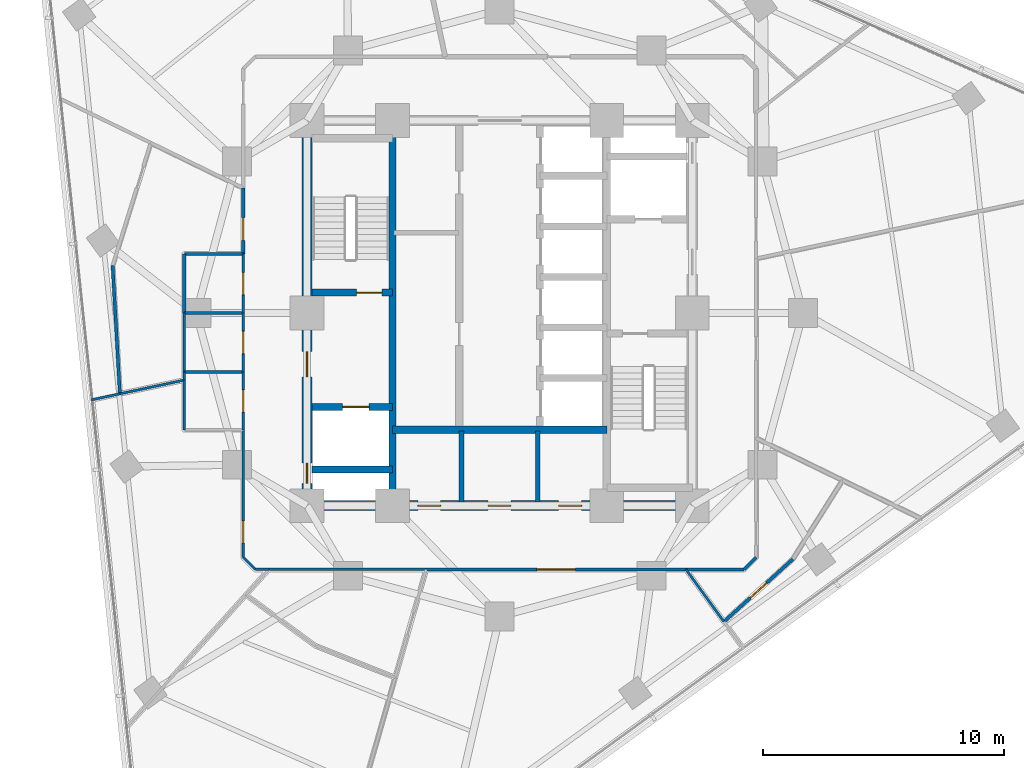
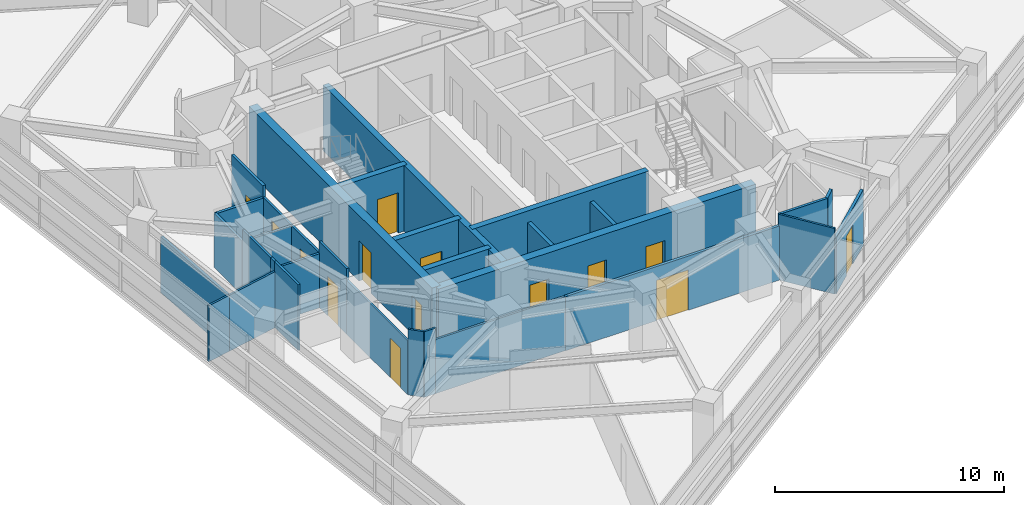
# One storey, part 8 of 14: 32 walls, 14 doors, 14 openings.
"""IFC4 building model written with IfcOpenShell, lengths in metres."""

from ifc_helpers import new_model, si_unit, direction, frame, frame_2d, origin, place, context, subcontext, project, spatial, rectangle, extrude, material, layer, layer_set, type_object, element, fill, save


model = new_model("IFC4")

# Units and contexts
model_context = context("Model", 3, precision=1e-05, world=origin(), true_north=direction((0.0, 1.0)))
body_context = subcontext(model_context, "Body", "Model", "MODEL_VIEW")
ifc_project = project(units=[si_unit("LENGTHUNIT", "METRE"), si_unit("AREAUNIT", "SQUARE_METRE"), si_unit("VOLUMEUNIT", "CUBIC_METRE"), si_unit("PLANEANGLEUNIT", "RADIAN"), si_unit("MASSUNIT", "GRAM", prefix="KILO")], contexts=[model_context])

# Site, building, storey
site_placement = place(None, origin())
site = spatial("IfcSite", under=ifc_project, at=site_placement, CompositionType="ELEMENT")
building_placement = place(site_placement, origin())
building = spatial("IfcBuilding", under=site, at=building_placement, Name="Terralouvre Media Tower", CompositionType="ELEMENT")
storey_placement = place(building_placement, frame((0.0, 0.0, 173.10009765625)))
storey = spatial("IfcBuildingStorey", under=building, at=storey_placement, Name="L44", CompositionType="ELEMENT", Elevation=173.10009765625)

# Wall
ifc_material_1 = material(Name="Concrete C50/60", Category="concrete")
ifc_layer_1 = layer(ifc_material_1, 0.300048828125, Name="Core Internal Shaft Wall CW-300")
ifc_layer_set_1 = layer_set([ifc_layer_1], Name="Concrete C50/60")
wall_type_1 = type_object("IfcWallType", Name="Core Internal Shaft Wall CW-300", PredefinedType="SHEAR", material=ifc_layer_set_1)
wall_1_placement = place(storey_placement, frame((-4.449951171875, -7.7900390625, 0.0), z_axis=(0.0, 0.0, 1.0), x_axis=(0.0, 1.0, 0.0)))
element("IfcWall", 1, at=wall_1_placement, inside=storey, type_object=wall_type_1, Name="L44 Core Shaft Wall SPW", PredefinedType="SHEAR", context=body_context, shape_type="SweptSolid", body=[
    extrude(rectangle(XDim=15.580078125, YDim=0.300048828125, at=frame_2d((7.7900390625, 0.0))), origin(), (0.0, 0.0, 1.0), 3.5),
])

# Wall, opening, door
wall_2_placement = place(storey_placement, frame((-7.7900390625, 0.85009765625, 0.0), z_axis=(0.0, 0.0, 1.0), x_axis=(1.0, 0.0, 0.0)))
wall_2 = element("IfcWall", 2, at=wall_2_placement, inside=storey, type_object=wall_type_1, Name="L44 Core Shaft Wall ST1D", PredefinedType="SHEAR", context=body_context, shape_type="SweptSolid", body=[
    extrude(rectangle(XDim=3.340087890625, YDim=0.300048828125, at=frame_2d((1.669921875, 0.0))), origin(), (0.0, 0.0, 1.0), 3.5),
])
opening_1_placement = place(wall_2_placement, frame((1.85009765625, 0.0, 0.0)))
opening_1 = element("IfcOpeningElement", 3, at=opening_1_placement, cuts=wall_2, Name="Opening FD-01-105X215", PredefinedType="OPENING", context=body_context, shape_type="SweptSolid", body=[
    extrude(rectangle(XDim=1.050048828125, YDim=2.14990234375, at=frame_2d((0.52490234375, 1.074951171875))), frame((0.0, 0.159912109375, 0.0), z_axis=(0.0, -1.0, 0.0), x_axis=(1.0, 0.0, 0.0)), (0.0, 0.0, 1.0), 0.320068359375),
])
ifc_material_2 = material(Name="Galvanised steel fire-resisting leaf", Category="steel")
door_type_1 = type_object("IfcDoorType", Name="Stair and Firefighting Lobby Fire Door FD-01 (1050x2150)", OperationType="NOTDEFINED", PredefinedType="DOOR", material=ifc_material_2)
door_1_placement = place(opening_1_placement, origin())
door_1 = element("IfcDoor", 4, at=door_1_placement, inside=storey, type_object=door_type_1, Name="L44 ST-01 Exit Stair Door", OperationType="SINGLE_SWING_LEFT", OverallHeight=2.14990234375, OverallWidth=1.050048828125, PredefinedType="DOOR", context=body_context, shape_type="SweptSolid", body=[
    extrude(rectangle(XDim=1.050048828125, YDim=2.14990234375, at=frame_2d((0.52490234375, 1.074951171875))), frame((0.0, 0.02490234375, 0.0), z_axis=(0.0, -1.0, 0.0), x_axis=(1.0, 0.0, 0.0)), (0.0, 0.0, 1.0), 0.050048828125),
])
fill(opening_1, door_1)

wall_3_placement = place(storey_placement, frame((-7.7900390625, -3.89990234375, 0.0), z_axis=(0.0, 0.0, 1.0), x_axis=(1.0, 0.0, 0.0)))
wall_3 = element("IfcWall", 5, at=wall_3_placement, inside=storey, type_object=wall_type_1, Name="L44 Core Shaft Wall FF1N", PredefinedType="SHEAR", context=body_context, shape_type="SweptSolid", body=[
    extrude(rectangle(XDim=3.340087890625, YDim=0.300048828125, at=frame_2d((1.669921875, 0.0))), origin(), (0.0, 0.0, 1.0), 3.5),
])
opening_2_placement = place(wall_3_placement, frame((1.27001953125, 0.0, 0.0)))
opening_2 = element("IfcOpeningElement", 6, at=opening_2_placement, cuts=wall_3, Name="Opening LD-FF", PredefinedType="OPENING", context=body_context, shape_type="SweptSolid", body=[
    extrude(rectangle(XDim=1.10009765625, YDim=2.10009765625, at=frame_2d((0.550048828125, 1.050048828125))), frame((0.0, 0.159912109375, 0.0), z_axis=(0.0, -1.0, 0.0), x_axis=(1.0, 0.0, 0.0)), (0.0, 0.0, 1.0), 0.320068359375),
])
ifc_material_3 = material(Name="Stainless steel 316 handrail and balustrade", Category="steel")
door_type_2 = type_object("IfcDoorType", Name="Firefighting Lift Sliding Landing Door LD-FF", OperationType="SLIDING_TO_LEFT", PredefinedType="DOOR", material=ifc_material_3)
door_2_placement = place(opening_2_placement, origin())
door_2 = element("IfcDoor", 7, at=door_2_placement, inside=storey, type_object=door_type_2, Name="L44 Firefighting Lift FFL-01 Landing Door", OperationType="SLIDING_TO_LEFT", OverallHeight=2.10009765625, OverallWidth=1.10009765625, PredefinedType="DOOR", context=body_context, shape_type="SweptSolid", body=[
    extrude(rectangle(XDim=1.10009765625, YDim=2.10009765625, at=frame_2d((0.550048828125, 1.050048828125))), frame((0.0, 0.02490234375, 0.0), z_axis=(0.0, -1.0, 0.0), x_axis=(1.0, 0.0, 0.0)), (0.0, 0.0, 1.0), 0.050048828125),
])
fill(opening_2, door_2)

# Walls
wall_4_placement = place(storey_placement, frame((-7.7900390625, -6.5, 0.0), z_axis=(0.0, 0.0, 1.0), x_axis=(1.0, 0.0, 0.0)))
element("IfcWall", 8, at=wall_4_placement, inside=storey, type_object=wall_type_1, Name="L44 Core Shaft Wall FF1S", PredefinedType="SHEAR", context=body_context, shape_type="SweptSolid", body=[
    extrude(rectangle(XDim=3.340087890625, YDim=0.300048828125, at=frame_2d((1.669921875, 0.0))), origin(), (0.0, 0.0, 1.0), 3.5),
])
wall_5_placement = place(storey_placement, frame((-4.449951171875, -4.85009765625, 0.0), z_axis=(0.0, 0.0, 1.0), x_axis=(1.0, 0.0, 0.0)))
element("IfcWall", 9, at=wall_5_placement, inside=storey, type_object=wall_type_1, Name="L44 Core Shaft Wall CSBN", PredefinedType="SHEAR", context=body_context, shape_type="SweptSolid", body=[
    extrude(rectangle(XDim=8.89990234375, YDim=0.300048828125, at=frame_2d((4.449951171875, 0.0))), origin(), (0.0, 0.0, 1.0), 3.5),
])

# Wall, openings, doors
ifc_material_4 = material(Name="Concrete C60/75", Category="concrete")
ifc_layer_2 = layer(ifc_material_4, 0.419921875, Name="Core Reinforced Concrete Shear Wall CW-420")
ifc_layer_set_2 = layer_set([ifc_layer_2], Name="Concrete C60/75")
wall_type_2 = type_object("IfcWallType", Name="Core Reinforced Concrete Shear Wall CW-420", PredefinedType="SHEAR", material=ifc_layer_set_2)
wall_6_placement = place(storey_placement, frame((-8.0, -8.0, 0.0), z_axis=(0.0, 0.0, 1.0), x_axis=(0.0, 1.0, 0.0)))
wall_6 = element("IfcWall", 10, at=wall_6_placement, inside=storey, type_object=wall_type_2, Name="L44 W Core Shear Wall", PredefinedType="SHEAR", context=body_context, shape_type="SweptSolid", body=[
    extrude(rectangle(XDim=16.0, YDim=0.419921875, at=frame_2d((8.0, 0.0))), origin(), (0.0, 0.0, 1.0), 3.5),
])
opening_3_placement = place(wall_6_placement, frame((0.921630859375, 0.0, 0.0)))
opening_3 = element("IfcOpeningElement", 11, at=opening_3_placement, cuts=wall_6, Name="Opening TD-R1", PredefinedType="OPENING", context=body_context, shape_type="SweptSolid", body=[
    extrude(rectangle(XDim=0.85009765625, YDim=2.02001953125, at=frame_2d((0.425048828125, 1.010009765625))), frame((0.0, 0.219970703125, 0.0), z_axis=(0.0, -1.0, 0.0), x_axis=(1.0, 0.0, 0.0)), (0.0, 0.0, 1.0), 0.43994140625),
])
opening_4_placement = place(wall_6_placement, frame((5.35009765625, 0.0, 0.0)))
opening_4 = element("IfcOpeningElement", 12, at=opening_4_placement, cuts=wall_6, Name="Opening FD-01-105X215", PredefinedType="OPENING", context=body_context, shape_type="SweptSolid", body=[
    extrude(rectangle(XDim=1.050048828125, YDim=2.14990234375, at=frame_2d((0.52490234375, 1.074951171875))), frame((0.0, 0.219970703125, 0.0), z_axis=(0.0, -1.0, 0.0), x_axis=(1.0, 0.0, 0.0)), (0.0, 0.0, 1.0), 0.43994140625),
])
ifc_material_5 = material(Name="Galvanised steel fire-resisting leaf", Category="steel")
door_type_3 = type_object("IfcDoorType", Name="Riser Inspection Access Trapdoor TD-R1", OperationType="NOTDEFINED", PredefinedType="TRAPDOOR", material=ifc_material_5)
door_3_placement = place(opening_3_placement, origin())
door_3 = element("IfcDoor", 13, at=door_3_placement, inside=storey, type_object=door_type_3, Name="L44 Wet Riser Access Trapdoor", OperationType="SINGLE_SWING_LEFT", OverallHeight=2.02001953125, OverallWidth=0.85009765625, PredefinedType="TRAPDOOR", context=body_context, shape_type="SweptSolid", body=[
    extrude(rectangle(XDim=0.85009765625, YDim=2.02001953125, at=frame_2d((0.425048828125, 1.010009765625))), frame((0.0, 0.02490234375, 0.0), z_axis=(0.0, -1.0, 0.0), x_axis=(1.0, 0.0, 0.0)), (0.0, 0.0, 1.0), 0.050048828125),
])
fill(opening_3, door_3)
door_4_placement = place(opening_4_placement, origin())
door_4 = element("IfcDoor", 14, at=door_4_placement, inside=storey, type_object=door_type_1, Name="L44 West Firefighting Lobby Entry Door", OperationType="SINGLE_SWING_RIGHT", OverallHeight=2.14990234375, OverallWidth=1.050048828125, PredefinedType="DOOR", context=body_context, shape_type="SweptSolid", body=[
    extrude(rectangle(XDim=1.050048828125, YDim=2.14990234375, at=frame_2d((0.52490234375, 1.074951171875))), frame((0.0, 0.02490234375, 0.0), z_axis=(0.0, -1.0, 0.0), x_axis=(1.0, 0.0, 0.0)), (0.0, 0.0, 1.0), 0.050048828125),
])
fill(opening_4, door_4)

wall_7_placement = place(storey_placement, frame((-8.0, -8.0, 0.0), z_axis=(0.0, 0.0, 1.0), x_axis=(1.0, 0.0, 0.0)))
wall_7 = element("IfcWall", 15, at=wall_7_placement, inside=storey, type_object=wall_type_2, Name="L44 S Core Shear Wall", PredefinedType="SHEAR", context=body_context, shape_type="SweptSolid", body=[
    extrude(rectangle(XDim=16.0, YDim=0.419921875, at=frame_2d((8.0, 0.0))), origin(), (0.0, 0.0, 1.0), 3.5),
])
opening_5_placement = place(wall_7_placement, frame((4.60009765625, 0.0, 0.0)))
opening_5 = element("IfcOpeningElement", 16, at=opening_5_placement, cuts=wall_7, Name="Opening FD-02-95X210", PredefinedType="OPENING", context=body_context, shape_type="SweptSolid", body=[
    extrude(rectangle(XDim=0.949951171875, YDim=2.10009765625, at=frame_2d((0.47509765625, 1.050048828125))), frame((0.0, 0.219970703125, 0.0), z_axis=(0.0, -1.0, 0.0), x_axis=(1.0, 0.0, 0.0)), (0.0, 0.0, 1.0), 0.43994140625),
])
opening_6_placement = place(wall_7_placement, frame((7.52001953125, 0.0, 0.0)))
opening_6 = element("IfcOpeningElement", 17, at=opening_6_placement, cuts=wall_7, Name="Opening FD-02-95X210", PredefinedType="OPENING", context=body_context, shape_type="SweptSolid", body=[
    extrude(rectangle(XDim=0.949951171875, YDim=2.10009765625, at=frame_2d((0.47509765625, 1.050048828125))), frame((0.0, 0.219970703125, 0.0), z_axis=(0.0, -1.0, 0.0), x_axis=(1.0, 0.0, 0.0)), (0.0, 0.0, 1.0), 0.43994140625),
])
opening_7_placement = place(wall_7_placement, frame((10.449951171875, 0.0, 0.0)))
opening_7 = element("IfcOpeningElement", 18, at=opening_7_placement, cuts=wall_7, Name="Opening FD-02-95X210", PredefinedType="OPENING", context=body_context, shape_type="SweptSolid", body=[
    extrude(rectangle(XDim=0.949951171875, YDim=2.10009765625, at=frame_2d((0.47509765625, 1.050048828125))), frame((0.0, 0.219970703125, 0.0), z_axis=(0.0, -1.0, 0.0), x_axis=(1.0, 0.0, 0.0)), (0.0, 0.0, 1.0), 0.43994140625),
])
ifc_material_6 = material(Name="Galvanised steel fire-resisting leaf", Category="steel")
door_type_4 = type_object("IfcDoorType", Name="Plant and Riser Fire Door FD-02 (950x2100)", OperationType="NOTDEFINED", PredefinedType="DOOR", material=ifc_material_6)
door_5_placement = place(opening_5_placement, origin())
door_5 = element("IfcDoor", 19, at=door_5_placement, inside=storey, type_object=door_type_4, Name="L44 Core Janitor Store Door", OperationType="SINGLE_SWING_LEFT", OverallHeight=2.10009765625, OverallWidth=0.949951171875, PredefinedType="DOOR", context=body_context, shape_type="SweptSolid", body=[
    extrude(rectangle(XDim=0.949951171875, YDim=2.10009765625, at=frame_2d((0.47509765625, 1.050048828125))), frame((0.0, 0.02490234375, 0.0), z_axis=(0.0, -1.0, 0.0), x_axis=(1.0, 0.0, 0.0)), (0.0, 0.0, 1.0), 0.050048828125),
])
fill(opening_5, door_5)
door_6_placement = place(opening_6_placement, origin())
door_6 = element("IfcDoor", 20, at=door_6_placement, inside=storey, type_object=door_type_4, Name="L44 Core Linen Store Door", OperationType="SINGLE_SWING_RIGHT", OverallHeight=2.10009765625, OverallWidth=0.949951171875, PredefinedType="DOOR", context=body_context, shape_type="SweptSolid", body=[
    extrude(rectangle(XDim=0.949951171875, YDim=2.10009765625, at=frame_2d((0.47509765625, 1.050048828125))), frame((0.0, 0.02490234375, 0.0), z_axis=(0.0, -1.0, 0.0), x_axis=(1.0, 0.0, 0.0)), (0.0, 0.0, 1.0), 0.050048828125),
])
fill(opening_6, door_6)
door_7_placement = place(opening_7_placement, origin())
door_7 = element("IfcDoor", 21, at=door_7_placement, inside=storey, type_object=door_type_4, Name="L44 Core Metering Plant Door", OperationType="SINGLE_SWING_LEFT", OverallHeight=2.10009765625, OverallWidth=0.949951171875, PredefinedType="DOOR", context=body_context, shape_type="SweptSolid", body=[
    extrude(rectangle(XDim=0.949951171875, YDim=2.10009765625, at=frame_2d((0.47509765625, 1.050048828125))), frame((0.0, 0.02490234375, 0.0), z_axis=(0.0, -1.0, 0.0), x_axis=(1.0, 0.0, 0.0)), (0.0, 0.0, 1.0), 0.050048828125),
])
fill(opening_7, door_7)

# Wall, opening, door
ifc_material_7 = material(Name="Low-iron laminated double glazing with solar-control coating", Category="glass")
ifc_layer_3 = layer(ifc_material_7, 0.10009765625, Name="Demountable Glazed Office Partition PT-GL100")
ifc_layer_set_3 = layer_set([ifc_layer_3], Name="Low-iron laminated double glazing with solar-control coating")
wall_type_3 = type_object("IfcWallType", Name="Demountable Glazed Office Partition PT-GL100", PredefinedType="MOVABLE", material=ifc_layer_set_3)
wall_8_placement = place(storey_placement, frame((-10.64990234375, -4.85009765625, 0.0), z_axis=(0.0, 0.0, 1.0), x_axis=(0.0, -1.0, 0.0)))
wall_8 = element("IfcWall", 22, at=wall_8_placement, inside=storey, type_object=wall_type_3, Name="L44 Interior Partition 003", PredefinedType="MOVABLE", context=body_context, shape_type="SweptSolid", body=[
    extrude(rectangle(XDim=5.2998046875, YDim=0.10009765625, at=frame_2d((2.64990234375, 0.0))), origin(), (0.0, 0.0, 1.0), 2.885009765625),
])
opening_8_placement = place(wall_8_placement, frame((3.780029296875, 0.0, 0.0)))
opening_8 = element("IfcOpeningElement", 23, at=opening_8_placement, cuts=wall_8, Name="Opening ID-03-92X210", PredefinedType="OPENING", context=body_context, shape_type="SweptSolid", body=[
    extrude(rectangle(XDim=0.919921875, YDim=2.10009765625, at=frame_2d((0.4599609375, 1.050048828125))), frame((0.0, 0.06005859375, 0.0), z_axis=(0.0, -1.0, 0.0), x_axis=(1.0, 0.0, 0.0)), (0.0, 0.0, 1.0), 0.1201171875),
])
ifc_material_8 = material(Name="Engineered hardwood acoustic timber leaf", Category="wood")
door_type_5 = type_object("IfcDoorType", Name="Accessible Restroom and Suite Door ID-03 (920x2100)", OperationType="NOTDEFINED", PredefinedType="DOOR", material=ifc_material_8)
door_8_placement = place(opening_8_placement, origin())
door_8 = element("IfcDoor", 24, at=door_8_placement, inside=storey, type_object=door_type_5, Name="L44 Journalism Training Classroom 1 Door", OperationType="SINGLE_SWING_RIGHT", OverallHeight=2.10009765625, OverallWidth=0.919921875, PredefinedType="DOOR", context=body_context, shape_type="SweptSolid", body=[
    extrude(rectangle(XDim=0.919921875, YDim=2.10009765625, at=frame_2d((0.4599609375, 1.050048828125))), frame((0.0, 0.02490234375, 0.0), z_axis=(0.0, -1.0, 0.0), x_axis=(1.0, 0.0, 0.0)), (0.0, 0.0, 1.0), 0.050048828125),
])
fill(opening_8, door_8)

# Walls
wall_9_placement = place(storey_placement, frame((-10.64990234375, -10.14990234375, 0.0), z_axis=(0.0, 0.0, 1.0), x_axis=(0.707106781187, -0.707106781187, 0.0)))
element("IfcWall", 25, at=wall_9_placement, inside=storey, type_object=wall_type_3, Name="L44 Interior Partition 004", PredefinedType="MOVABLE", context=body_context, shape_type="SweptSolid", body=[
    extrude(rectangle(XDim=0.70703125, YDim=0.10009765625, at=frame_2d((0.353515625, 0.0))), origin(), (0.0, 0.0, 1.0), 3.5),
])
wall_10_placement = place(storey_placement, frame((-10.14990234375, -10.64990234375, 0.0), z_axis=(0.0, 0.0, 1.0), x_axis=(1.0, 0.0, 0.0)))
element("IfcWall", 26, at=wall_10_placement, inside=storey, type_object=wall_type_3, Name="L44 Interior Partition 005", PredefinedType="MOVABLE", context=body_context, shape_type="SweptSolid", body=[
    extrude(rectangle(XDim=0.560791015625, YDim=0.10009765625, at=frame_2d((0.2802734375, 0.0))), origin(), (0.0, 0.0, 1.0), 3.5),
])
wall_11_placement = place(storey_placement, frame((-9.589111328125, -10.64990234375, 0.0), z_axis=(0.0, 0.0, 1.0), x_axis=(1.0, 0.0, 0.0)))
element("IfcWall", 27, at=wall_11_placement, inside=storey, type_object=wall_type_3, Name="L44 Interior Partition 006", PredefinedType="MOVABLE", context=body_context, shape_type="SweptSolid", body=[
    extrude(rectangle(XDim=6.53515625, YDim=0.10009765625, at=frame_2d((3.267578125, 0.0))), origin(), (0.0, 0.0, 1.0), 2.885009765625),
])
wall_12_placement = place(storey_placement, frame((-15.777099609375, -3.35302734375, 0.0), z_axis=(0.0, 0.0, 1.0), x_axis=(-0.978029023755, -0.208468771503, 0.0)))
element("IfcWall", 28, at=wall_12_placement, inside=storey, type_object=wall_type_3, Name="L44 Interior Partition 029", PredefinedType="MOVABLE", context=body_context, shape_type="SweptSolid", body=[
    extrude(rectangle(XDim=1.2109375, YDim=0.10009765625, at=frame_2d((0.60546875, 0.0))), origin(), (0.0, 0.0, 1.0), 2.98486328125),
])
wall_13_placement = place(storey_placement, frame((-13.10009765625, -2.783935546875, 0.0), z_axis=(0.0, 0.0, 1.0), x_axis=(-0.978141843994, -0.207938772307, 0.0)))
element("IfcWall", 29, at=wall_13_placement, inside=storey, type_object=wall_type_3, Name="L44 Interior Partition 030", PredefinedType="MOVABLE", context=body_context, shape_type="SweptSolid", body=[
    extrude(rectangle(XDim=2.73681640625, YDim=0.10009765625, at=frame_2d((1.368408203125, 0.0))), origin(), (0.0, 0.0, 1.0), 2.98486328125),
])
wall_14_placement = place(storey_placement, frame((9.31591796875, -12.822021484375, 0.0), z_axis=(0.0, 0.0, 1.0), x_axis=(-0.587722823028, 0.80906234821, 0.0)))
element("IfcWall", 30, at=wall_14_placement, inside=storey, type_object=wall_type_3, Name="L44 Interior Partition 035", PredefinedType="MOVABLE", context=body_context, shape_type="SweptSolid", body=[
    extrude(rectangle(XDim=2.684814453125, YDim=0.10009765625, at=frame_2d((1.34228515625, 0.0))), origin(), (0.0, 0.0, 1.0), 3.5),
])
ifc_material_9 = material(Name="Fire-rated gypsum board drywall partition")
ifc_layer_4 = layer(ifc_material_9, 0.199951171875, Name="Fire-Rated Shaft and Lobby Partition FW-200")
ifc_layer_set_4 = layer_set([ifc_layer_4], Name="Fire-rated gypsum board drywall partition")
wall_type_4 = type_object("IfcWallType", Name="Fire-Rated Shaft and Lobby Partition FW-200", PredefinedType="SOLIDWALL", material=ifc_layer_set_4)
for number, where, z_axis, x_axis, name in (
    (31, (-1.580078125, -7.85009765625, 0.0), (0.0, 0.0, 1.0), (0.0, 1.0, 0.0), "L44 Core Service Bay Partition 1"),
    (32, (1.580078125, -7.85009765625, 0.0), (0.0, 0.0, 1.0), (0.0, 1.0, 0.0), "L44 Core Service Bay Partition 2"),
):
    element("IfcWall", number, at=place(storey_placement, frame(where, z_axis=z_axis, x_axis=x_axis)), inside=storey, type_object=wall_type_4, Name=name, PredefinedType="SOLIDWALL", context=body_context, shape_type="SweptSolid", body=[
        extrude(rectangle(XDim=2.9501953125, YDim=0.199951171875, at=frame_2d((1.47509765625, 0.0))), origin(), (0.0, 0.0, 1.0), 2.885009765625),
    ])

# Wall, opening, door
ifc_material_10 = material(Name="Fire-rated gypsum board drywall partition")
ifc_layer_5 = layer(ifc_material_10, 0.135009765625, Name="Newsroom Acoustic Partition PT-135")
ifc_layer_set_5 = layer_set([ifc_layer_5], Name="Fire-rated gypsum board drywall partition")
wall_type_5 = type_object("IfcWallType", Name="Newsroom Acoustic Partition PT-135", PredefinedType="PARTITIONING", material=ifc_layer_set_5)
wall_15_placement = place(storey_placement, frame((-3.053955078125, -10.64990234375, 0.0), z_axis=(0.0, 0.0, 1.0), x_axis=(1.0, 0.0, 0.0)))
wall_15 = element("IfcWall", 33, at=wall_15_placement, inside=storey, type_object=wall_type_5, Name="L44 Interior Partition 007", PredefinedType="PARTITIONING", context=body_context, shape_type="SweptSolid", body=[
    extrude(rectangle(XDim=10.7919921875, YDim=0.135009765625, at=frame_2d((5.39599609375, 0.0))), origin(), (0.0, 0.0, 1.0), 2.885009765625),
])
opening_9_placement = place(wall_15_placement, frame((4.595947265625, 0.0, 0.0)))
opening_9 = element("IfcOpeningElement", 34, at=opening_9_placement, cuts=wall_15, Name="Opening ID-04-160X215", PredefinedType="OPENING", context=body_context, shape_type="SweptSolid", body=[
    extrude(rectangle(XDim=1.60009765625, YDim=2.14990234375, at=frame_2d((0.800048828125, 1.074951171875))), frame((0.0, 0.077392578125, 0.0), z_axis=(0.0, -1.0, 0.0), x_axis=(1.0, 0.0, 0.0)), (0.0, 0.0, 1.0), 0.155029296875),
])
ifc_material_11 = material(Name="Engineered hardwood acoustic timber leaf", Category="wood")
door_type_6 = type_object("IfcDoorType", Name="Conference Double Acoustic Door ID-04 (1600x2150)", OperationType="DOUBLE_DOOR_SINGLE_SWING", PredefinedType="DOOR", material=ifc_material_11)
door_9_placement = place(opening_9_placement, origin())
door_9 = element("IfcDoor", 35, at=door_9_placement, inside=storey, type_object=door_type_6, Name="L44 Digital Editing Lecture Room 4 Door", OperationType="DOUBLE_DOOR_SINGLE_SWING", OverallHeight=2.14990234375, OverallWidth=1.60009765625, PredefinedType="DOOR", context=body_context, shape_type="SweptSolid", body=[
    extrude(rectangle(XDim=1.60009765625, YDim=2.14990234375, at=frame_2d((0.800048828125, 1.074951171875))), frame((0.0, 0.02490234375, 0.0), z_axis=(0.0, -1.0, 0.0), x_axis=(1.0, 0.0, 0.0)), (0.0, 0.0, 1.0), 0.050048828125),
])
fill(opening_9, door_9)

# Walls
wall_16_placement = place(storey_placement, frame((7.738037109375, -10.64990234375, 0.0), z_axis=(0.0, 0.0, 1.0), x_axis=(1.0, 0.0, 0.0)))
element("IfcWall", 36, at=wall_16_placement, inside=storey, type_object=wall_type_5, Name="L44 Interior Partition 008", PredefinedType="PARTITIONING", context=body_context, shape_type="SweptSolid", body=[
    extrude(rectangle(XDim=2.411865234375, YDim=0.135009765625, at=frame_2d((1.2060546875, 0.0))), origin(), (0.0, 0.0, 1.0), 3.5),
])
wall_17_placement = place(storey_placement, frame((10.14990234375, -10.64990234375, 0.0), z_axis=(0.0, 0.0, 1.0), x_axis=(0.707106781187, 0.707106781187, 0.0)))
element("IfcWall", 37, at=wall_17_placement, inside=storey, type_object=wall_type_5, Name="L44 Interior Partition 009", PredefinedType="PARTITIONING", context=body_context, shape_type="SweptSolid", body=[
    extrude(rectangle(XDim=0.70703125, YDim=0.135009765625, at=frame_2d((0.353515625, 0.0))), origin(), (0.0, 0.0, 1.0), 3.5),
])

# Wall, opening, door
wall_18_placement = place(storey_placement, frame((-10.64990234375, 5.194091796875, 0.0), z_axis=(0.0, 0.0, 1.0), x_axis=(0.0, -1.0, 0.0)))
wall_18 = element("IfcWall", 38, at=wall_18_placement, inside=storey, type_object=wall_type_5, Name="L44 Interior Partition 019", PredefinedType="PARTITIONING", context=body_context, shape_type="SweptSolid", body=[
    extrude(rectangle(XDim=2.744140625, YDim=0.135009765625, at=frame_2d((1.3720703125, 0.0))), origin(), (0.0, 0.0, 1.0), 3.5),
])
opening_10_placement = place(wall_18_placement, frame((1.226318359375, 0.0, 0.0)))
opening_10 = element("IfcOpeningElement", 39, at=opening_10_placement, cuts=wall_18, Name="Opening ID-02-95X210", PredefinedType="OPENING", context=body_context, shape_type="SweptSolid", body=[
    extrude(rectangle(XDim=0.949951171875, YDim=2.10009765625, at=frame_2d((0.47509765625, 1.050048828125))), frame((0.0, 0.077392578125, 0.0), z_axis=(0.0, -1.0, 0.0), x_axis=(1.0, 0.0, 0.0)), (0.0, 0.0, 1.0), 0.155029296875),
])
ifc_material_12 = material(Name="Engineered hardwood acoustic timber leaf", Category="wood")
door_type_7 = type_object("IfcDoorType", Name="Office and Meeting Room Door ID-02 (950x2100)", OperationType="NOTDEFINED", PredefinedType="DOOR", material=ifc_material_12)
door_10_placement = place(opening_10_placement, origin())
door_10 = element("IfcDoor", 40, at=door_10_placement, inside=storey, type_object=door_type_7, Name="L44 Admissions Reception 13 Door", OperationType="SINGLE_SWING_LEFT", OverallHeight=2.10009765625, OverallWidth=0.949951171875, PredefinedType="DOOR", context=body_context, shape_type="SweptSolid", body=[
    extrude(rectangle(XDim=0.949951171875, YDim=2.10009765625, at=frame_2d((0.47509765625, 1.050048828125))), frame((0.0, 0.02490234375, 0.0), z_axis=(0.0, -1.0, 0.0), x_axis=(1.0, 0.0, 0.0)), (0.0, 0.0, 1.0), 0.050048828125),
])
fill(opening_10, door_10)

wall_19_placement = place(storey_placement, frame((9.31591796875, -12.822021484375, 0.0), z_axis=(0.0, 0.0, 1.0), x_axis=(0.740145591151, 0.672446655058, 0.0)))
wall_19 = element("IfcWall", 41, at=wall_19_placement, inside=storey, type_object=wall_type_5, Name="L44 Interior Partition 037", PredefinedType="PARTITIONING", context=body_context, shape_type="SweptSolid", body=[
    extrude(rectangle(XDim=3.86962890625, YDim=0.135009765625, at=frame_2d((1.934814453125, 0.0))), origin(), (0.0, 0.0, 1.0), 2.98486328125),
])
opening_11_placement = place(wall_19_placement, frame((1.474609375, 0.0, 0.0)))
opening_11 = element("IfcOpeningElement", 42, at=opening_11_placement, cuts=wall_19, Name="Opening ID-03-92X210", PredefinedType="OPENING", context=body_context, shape_type="SweptSolid", body=[
    extrude(rectangle(XDim=0.919921875, YDim=2.10009765625, at=frame_2d((0.4599609375, 1.050048828125))), frame((0.0, 0.077392578125, 0.0), z_axis=(0.0, -1.0, 0.0), x_axis=(1.0, 0.0, 0.0)), (0.0, 0.0, 1.0), 0.155029296875),
])
door_11_placement = place(opening_11_placement, origin())
door_11 = element("IfcDoor", 43, at=door_11_placement, inside=storey, type_object=door_type_5, Name="L44 Periodicals Reading Club 6 Door", OperationType="SINGLE_SWING_LEFT", OverallHeight=2.10009765625, OverallWidth=0.919921875, PredefinedType="DOOR", context=body_context, shape_type="SweptSolid", body=[
    extrude(rectangle(XDim=0.919921875, YDim=2.10009765625, at=frame_2d((0.4599609375, 1.050048828125))), frame((0.0, 0.02490234375, 0.0), z_axis=(0.0, -1.0, 0.0), x_axis=(1.0, 0.0, 0.0)), (0.0, 0.0, 1.0), 0.050048828125),
])
fill(opening_11, door_11)

# Walls
wall_20_placement = place(storey_placement, frame((-15.777099609375, -3.35302734375, 0.0), z_axis=(0.0, 0.0, 1.0), x_axis=(-0.056600228811, 0.99839692212, 0.0)))
element("IfcWall", 44, at=wall_20_placement, inside=storey, type_object=wall_type_5, Name="L44 Interior Partition 051", PredefinedType="PARTITIONING", context=body_context, shape_type="SweptSolid", body=[
    extrude(rectangle(XDim=5.335693359375, YDim=0.135009765625, at=frame_2d((2.66796875, 0.0))), origin(), (0.0, 0.0, 1.0), 2.98486328125),
])
wall_21_placement = place(storey_placement, frame((-13.10009765625, 0.0, 0.0), z_axis=(0.0, 0.0, 1.0), x_axis=(0.0, 1.0, 0.0)))
element("IfcWall", 45, at=wall_21_placement, inside=storey, type_object=wall_type_5, Name="L44 Interior Partition 053", PredefinedType="PARTITIONING", context=body_context, shape_type="SweptSolid", body=[
    extrude(rectangle(XDim=2.449951171875, YDim=0.135009765625, at=frame_2d((1.22509765625, 0.0))), origin(), (0.0, 0.0, 1.0), 2.885009765625),
])
wall_22_placement = place(storey_placement, frame((-13.10009765625, 2.449951171875, 0.0), z_axis=(0.0, 0.0, 1.0), x_axis=(1.0, 0.0, 0.0)))
element("IfcWall", 46, at=wall_22_placement, inside=storey, type_object=wall_type_5, Name="L44 Interior Partition 054", PredefinedType="PARTITIONING", context=body_context, shape_type="SweptSolid", body=[
    extrude(rectangle(XDim=2.4501953125, YDim=0.135009765625, at=frame_2d((1.22509765625, 0.0))), origin(), (0.0, 0.0, 1.0), 2.885009765625),
])

# Wall, opening, door
ifc_material_13 = material(Name="Fire-rated gypsum board drywall partition")
ifc_layer_6 = layer(ifc_material_13, 0.114990234375, Name="Restroom and Pantry Partition PT-115")
ifc_layer_set_6 = layer_set([ifc_layer_6], Name="Fire-rated gypsum board drywall partition")
wall_type_6 = type_object("IfcWallType", Name="Restroom and Pantry Partition PT-115", PredefinedType="PARTITIONING", material=ifc_layer_set_6)
wall_23_placement = place(storey_placement, frame((-10.64990234375, 0.0, 0.0), z_axis=(0.0, 0.0, 1.0), x_axis=(0.0, -1.0, 0.0)))
wall_23 = element("IfcWall", 47, at=wall_23_placement, inside=storey, type_object=wall_type_6, Name="L44 Interior Partition 001", PredefinedType="PARTITIONING", context=body_context, shape_type="SweptSolid", body=[
    extrude(rectangle(XDim=2.449951171875, YDim=0.114990234375, at=frame_2d((1.22509765625, 0.0))), origin(), (0.0, 0.0, 1.0), 2.885009765625),
])
opening_12_placement = place(wall_23_placement, frame((0.764892578125, 0.0, 0.0)))
opening_12 = element("IfcOpeningElement", 48, at=opening_12_placement, cuts=wall_23, Name="Opening ID-03-92X210", PredefinedType="OPENING", context=body_context, shape_type="SweptSolid", body=[
    extrude(rectangle(XDim=0.919921875, YDim=2.10009765625, at=frame_2d((0.4599609375, 1.050048828125))), frame((0.0, 0.0673828125, 0.0), z_axis=(0.0, -1.0, 0.0), x_axis=(1.0, 0.0, 0.0)), (0.0, 0.0, 1.0), 0.135009765625),
])
door_12_placement = place(opening_12_placement, origin())
door_12 = element("IfcDoor", 49, at=door_12_placement, inside=storey, type_object=door_type_5, Name="L44 Female Restroom WC Door", OperationType="SINGLE_SWING_RIGHT", OverallHeight=2.10009765625, OverallWidth=0.919921875, PredefinedType="DOOR", context=body_context, shape_type="SweptSolid", body=[
    extrude(rectangle(XDim=0.919921875, YDim=2.10009765625, at=frame_2d((0.4599609375, 1.050048828125))), frame((0.0, 0.02490234375, 0.0), z_axis=(0.0, -1.0, 0.0), x_axis=(1.0, 0.0, 0.0)), (0.0, 0.0, 1.0), 0.050048828125),
])
fill(opening_12, door_12)

wall_24_placement = place(storey_placement, frame((-10.64990234375, -2.449951171875, 0.0), z_axis=(0.0, 0.0, 1.0), x_axis=(0.0, -1.0, 0.0)))
wall_24 = element("IfcWall", 50, at=wall_24_placement, inside=storey, type_object=wall_type_6, Name="L44 Interior Partition 002", PredefinedType="PARTITIONING", context=body_context, shape_type="SweptSolid", body=[
    extrude(rectangle(XDim=2.400146484375, YDim=0.114990234375, at=frame_2d((1.2001953125, 0.0))), origin(), (0.0, 0.0, 1.0), 3.5),
])
opening_13_placement = place(wall_24_placement, frame((0.739990234375, 0.0, 0.0)))
opening_13 = element("IfcOpeningElement", 51, at=opening_13_placement, cuts=wall_24, Name="Opening ID-03-92X210", PredefinedType="OPENING", context=body_context, shape_type="SweptSolid", body=[
    extrude(rectangle(XDim=0.919921875, YDim=2.10009765625, at=frame_2d((0.4599609375, 1.050048828125))), frame((0.0, 0.0673828125, 0.0), z_axis=(0.0, -1.0, 0.0), x_axis=(1.0, 0.0, 0.0)), (0.0, 0.0, 1.0), 0.135009765625),
])
door_13_placement = place(opening_13_placement, origin())
door_13 = element("IfcDoor", 52, at=door_13_placement, inside=storey, type_object=door_type_5, Name="L44 Male Restroom WC Door", OperationType="SINGLE_SWING_LEFT", OverallHeight=2.10009765625, OverallWidth=0.919921875, PredefinedType="DOOR", context=body_context, shape_type="SweptSolid", body=[
    extrude(rectangle(XDim=0.919921875, YDim=2.10009765625, at=frame_2d((0.4599609375, 1.050048828125))), frame((0.0, 0.02490234375, 0.0), z_axis=(0.0, -1.0, 0.0), x_axis=(1.0, 0.0, 0.0)), (0.0, 0.0, 1.0), 0.050048828125),
])
fill(opening_13, door_13)

wall_25_placement = place(storey_placement, frame((-10.64990234375, 2.449951171875, 0.0), z_axis=(0.0, 0.0, 1.0), x_axis=(0.0, -1.0, 0.0)))
wall_25 = element("IfcWall", 53, at=wall_25_placement, inside=storey, type_object=wall_type_6, Name="L44 Interior Partition 020", PredefinedType="PARTITIONING", context=body_context, shape_type="SweptSolid", body=[
    extrude(rectangle(XDim=2.449951171875, YDim=0.114990234375, at=frame_2d((1.22509765625, 0.0))), origin(), (0.0, 0.0, 1.0), 2.885009765625),
])
opening_14_placement = place(wall_25_placement, frame((0.764892578125, 0.0, 0.0)))
opening_14 = element("IfcOpeningElement", 54, at=opening_14_placement, cuts=wall_25, Name="Opening ID-03-92X210", PredefinedType="OPENING", context=body_context, shape_type="SweptSolid", body=[
    extrude(rectangle(XDim=0.919921875, YDim=2.10009765625, at=frame_2d((0.4599609375, 1.050048828125))), frame((0.0, 0.0673828125, 0.0), z_axis=(0.0, -1.0, 0.0), x_axis=(1.0, 0.0, 0.0)), (0.0, 0.0, 1.0), 0.135009765625),
])
door_14_placement = place(opening_14_placement, origin())
door_14 = element("IfcDoor", 55, at=door_14_placement, inside=storey, type_object=door_type_5, Name="L44 Accessible Unisex WC Door", OperationType="SINGLE_SWING_RIGHT", OverallHeight=2.10009765625, OverallWidth=0.919921875, PredefinedType="DOOR", context=body_context, shape_type="SweptSolid", body=[
    extrude(rectangle(XDim=0.919921875, YDim=2.10009765625, at=frame_2d((0.4599609375, 1.050048828125))), frame((0.0, 0.02490234375, 0.0), z_axis=(0.0, -1.0, 0.0), x_axis=(1.0, 0.0, 0.0)), (0.0, 0.0, 1.0), 0.050048828125),
])
fill(opening_14, door_14)

# Walls
wall_26_placement = place(storey_placement, frame((-13.10009765625, -2.449951171875, 0.0), z_axis=(0.0, 0.0, 1.0), x_axis=(1.0, 0.0, 0.0)))
element("IfcWall", 56, at=wall_26_placement, inside=storey, type_object=wall_type_6, Name="L44 Interior Partition 021", PredefinedType="PARTITIONING", context=body_context, shape_type="SweptSolid", body=[
    extrude(rectangle(XDim=2.4501953125, YDim=0.114990234375, at=frame_2d((1.22509765625, 0.0))), origin(), (0.0, 0.0, 1.0), 2.885009765625),
])
wall_27_placement = place(storey_placement, frame((-13.10009765625, 0.0, 0.0), z_axis=(0.0, 0.0, 1.0), x_axis=(0.0, -1.0, 0.0)))
element("IfcWall", 57, at=wall_27_placement, inside=storey, type_object=wall_type_6, Name="L44 Interior Partition 022", PredefinedType="PARTITIONING", context=body_context, shape_type="SweptSolid", body=[
    extrude(rectangle(XDim=2.449951171875, YDim=0.114990234375, at=frame_2d((1.22509765625, 0.0))), origin(), (0.0, 0.0, 1.0), 3.5),
])
wall_28_placement = place(storey_placement, frame((-10.64990234375, 0.0, 0.0), z_axis=(0.0, 0.0, 1.0), x_axis=(-1.0, 0.0, 0.0)))
element("IfcWall", 58, at=wall_28_placement, inside=storey, type_object=wall_type_6, Name="L44 Interior Partition 023", PredefinedType="PARTITIONING", context=body_context, shape_type="SweptSolid", body=[
    extrude(rectangle(XDim=2.4501953125, YDim=0.114990234375, at=frame_2d((1.22509765625, 0.0))), origin(), (0.0, 0.0, 1.0), 2.885009765625),
])
wall_29_placement = place(storey_placement, frame((-13.10009765625, -2.783935546875, 0.0), z_axis=(0.0, 0.0, 1.0), x_axis=(0.0, -1.0, 0.0)))
element("IfcWall", 59, at=wall_29_placement, inside=storey, type_object=wall_type_6, Name="L44 Interior Partition 024", PredefinedType="PARTITIONING", context=body_context, shape_type="SweptSolid", body=[
    extrude(rectangle(XDim=2.066162109375, YDim=0.114990234375, at=frame_2d((1.033203125, 0.0))), origin(), (0.0, 0.0, 1.0), 3.5),
])
wall_30_placement = place(storey_placement, frame((-13.10009765625, -2.449951171875, 0.0), z_axis=(0.0, 0.0, 1.0), x_axis=(0.0, -1.0, 0.0)))
element("IfcWall", 60, at=wall_30_placement, inside=storey, type_object=wall_type_6, Name="L44 Interior Partition 026", PredefinedType="PARTITIONING", context=body_context, shape_type="SweptSolid", body=[
    extrude(rectangle(XDim=0.333984375, YDim=0.114990234375, at=frame_2d((0.1669921875, 0.0))), origin(), (0.0, 0.0, 1.0), 3.5),
])

save(model, "model.ifc")
